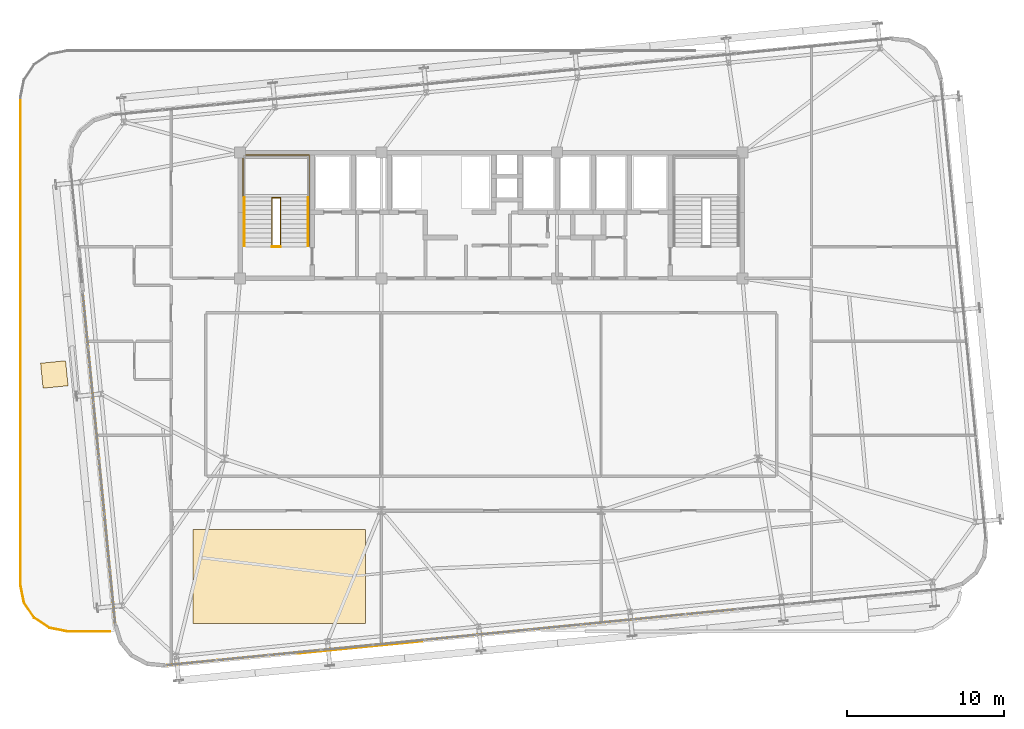
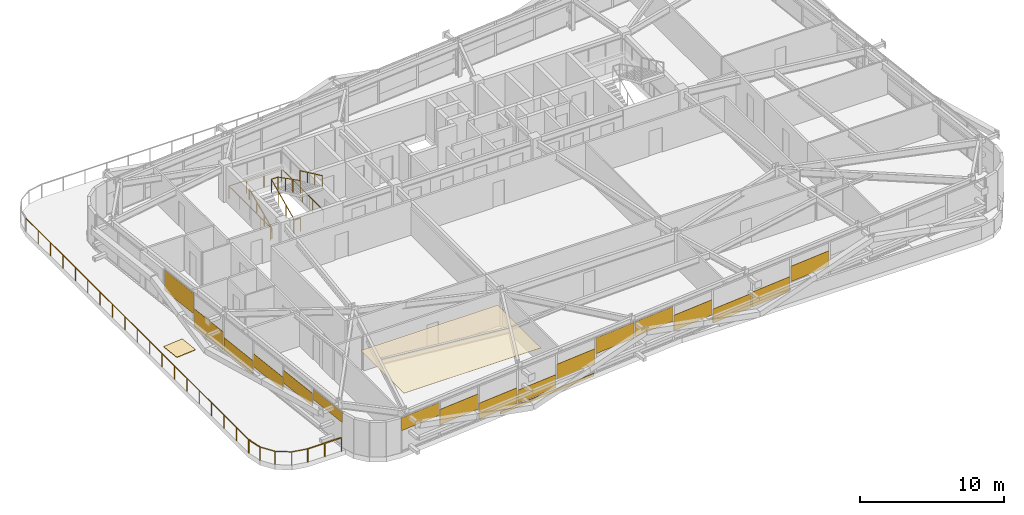
# One storey, part 49 of 51: 20 coverings, 11 railings.
"""IFC4 building model written with IfcOpenShell, lengths in metres."""

from ifc_helpers import new_model, si_unit, direction, frame, origin, origin_2d, place, context, subcontext, project, spatial, rectangle, extrude, source, transform, mapped, material, layer, layer_set, type_object, element, save


model = new_model("IFC4")

# Units and contexts
model_context = context("Model", 3, precision=1e-05, world=origin(), true_north=direction((0.0, 1.0)))
body_context = subcontext(model_context, "Body", "Model", "MODEL_VIEW")
ifc_project = project(units=[si_unit("LENGTHUNIT", "METRE"), si_unit("AREAUNIT", "SQUARE_METRE"), si_unit("VOLUMEUNIT", "CUBIC_METRE"), si_unit("PLANEANGLEUNIT", "RADIAN"), si_unit("MASSUNIT", "GRAM", prefix="KILO")], contexts=[model_context])

# Site, building, storey
site_placement = place(None, origin())
site = spatial("IfcSite", under=ifc_project, at=site_placement, CompositionType="ELEMENT")
building_placement = place(site_placement, origin())
building = spatial("IfcBuilding", under=site, at=building_placement, Name="Taldren Reach Tower", CompositionType="ELEMENT")
storey_placement = place(building_placement, frame((0.0, 0.0, 65.10009765625)))
storey = spatial("IfcBuildingStorey", under=building, at=storey_placement, Name="L19", CompositionType="ELEMENT", Elevation=65.10009765625)

# Railings
ifc_material_1 = material(Name="Steel Gr 350 (C350L0)", Category="steel")
ifc_layer_1 = layer(ifc_material_1, 0.050048828125)
ifc_layer_set_1 = layer_set([ifc_layer_1], Name="Steel Gr 350 (C350L0)")
railing_type_1 = type_object("IfcRailingType", Name="RL-STAIR-GR", PredefinedType="GUARDRAIL", material=ifc_layer_set_1)
railing_1_placement = place(storey_placement, frame((21.030029296875, 26.050048828125, 0.131103515625)))
element("IfcRailing", 1, at=railing_1_placement, inside=storey, type_object=railing_type_1, Name="Stairwell inner guard ST1-L19", PredefinedType="GUARDRAIL", context=body_context, shape_type="SweptSolid", body=[
    extrude(rectangle(XDim=0.047852, YDim=0.047852, at=origin_2d()), frame((0.0, 0.0, 1.09619140625), z_axis=(0.0, 0.905710134349, 0.423897573167), x_axis=(-1.0, 0.0, 0.0)), (0.0, 0.0, 1.0), 3.406005859375),
    extrude(rectangle(XDim=0.047852, YDim=0.047852, at=origin_2d()), frame((0.0, 3.0849609375, 2.5400390625), z_axis=(1.0, 0.0, 0.0), x_axis=(0.0, 1.0, 0.0)), (0.0, 0.0, 1.0), 0.5400390625),
    extrude(rectangle(XDim=0.047852, YDim=0.047852, at=origin_2d()), frame((0.5400390625, 3.0849609375, 2.5400390625), z_axis=(0.0, -0.890645957773, 0.45469745755), x_axis=(1.0, 0.0, 0.0)), (0.0, 0.0, 1.0), 3.463623046875),
    extrude(rectangle(XDim=0.041992, YDim=0.041992, at=origin_2d()), origin(), (0.0, 0.0, 1.0), 1.072021484375),
    extrude(rectangle(XDim=0.041992, YDim=0.041992, at=origin_2d()), frame((0.0, 1.0283203125, 0.481201171875)), (0.0, 0.0, 1.0), 1.072021484375),
    extrude(rectangle(XDim=0.041992, YDim=0.041992, at=origin_2d()), frame((0.0, 2.056640625, 0.962646484375)), (0.0, 0.0, 1.0), 1.072021484375),
    extrude(rectangle(XDim=0.041992, YDim=0.041992, at=origin_2d()), frame((0.0, 3.0849609375, 1.44384765625)), (0.0, 0.0, 1.0), 1.072021484375),
    extrude(rectangle(XDim=0.041992, YDim=0.041992, at=origin_2d()), frame((0.5400390625, 3.0849609375, 1.44384765625)), (0.0, 0.0, 1.0), 1.072021484375),
    extrude(rectangle(XDim=0.041992, YDim=0.041992, at=origin_2d()), frame((0.5400390625, 2.056640625, 1.96875)), (0.0, 0.0, 1.0), 1.072021484375),
    extrude(rectangle(XDim=0.041992, YDim=0.041992, at=origin_2d()), frame((0.5400390625, 1.0283203125, 2.493896484375)), (0.0, 0.0, 1.0), 1.072021484375),
    extrude(rectangle(XDim=0.041992, YDim=0.041992, at=origin_2d()), frame((0.5400390625, 0.0, 3.018798828125)), (0.0, 0.0, 1.0), 1.072021484375),
])
railing_2_placement = place(storey_placement, frame((21.030029296875, 26.010009765625, 0.0)))
element("IfcRailing", 2, at=railing_2_placement, inside=storey, type_object=railing_type_1, Name="Stairwell landing slot guard ST1-L19", PredefinedType="GUARDRAIL", context=body_context, shape_type="SweptSolid", body=[
    extrude(rectangle(XDim=0.047852, YDim=0.047852, at=origin_2d()), frame((0.0, 0.0, 1.09619140625), z_axis=(1.0, 0.0, 0.0), x_axis=(0.0, 1.0, 0.0)), (0.0, 0.0, 1.0), 0.5400390625),
    extrude(rectangle(XDim=0.041992, YDim=0.041992, at=origin_2d()), origin(), (0.0, 0.0, 1.0), 1.072021484375),
    extrude(rectangle(XDim=0.041992, YDim=0.041992, at=origin_2d()), frame((0.5400390625, 0.0, 0.0)), (0.0, 0.0, 1.0), 1.072021484375),
])
railing_3_placement = place(storey_placement, frame((19.18994140625, 26.050048828125, 0.0)))
element("IfcRailing", 3, at=railing_3_placement, inside=storey, type_object=railing_type_1, Name="Stairwell floor opening guard ST1-L19", PredefinedType="GUARDRAIL", context=body_context, shape_type="SweptSolid", body=[
    extrude(rectangle(XDim=0.047852, YDim=0.047852, at=origin_2d()), frame((0.0, 0.0, 1.09619140625), z_axis=(0.0, 1.0, 0.0), x_axis=(-1.0, 0.0, 0.0)), (0.0, 0.0, 1.0), 5.800048828125),
    extrude(rectangle(XDim=0.047852, YDim=0.047852, at=origin_2d()), frame((0.0, 5.800048828125, 1.09619140625), z_axis=(1.0, 0.0, 0.0), x_axis=(0.0, 1.0, 0.0)), (0.0, 0.0, 1.0), 4.219970703125),
    extrude(rectangle(XDim=0.047852, YDim=0.047852, at=origin_2d()), frame((4.219970703125, 5.800048828125, 1.09619140625), z_axis=(0.0, -1.0, 0.0), x_axis=(1.0, 0.0, 0.0)), (0.0, 0.0, 1.0), 5.800048828125),
    extrude(rectangle(XDim=0.041992, YDim=0.041992, at=origin_2d()), origin(), (0.0, 0.0, 1.0), 1.072021484375),
    extrude(rectangle(XDim=0.041992, YDim=0.041992, at=origin_2d()), frame((0.0, 1.449951171875, 0.0)), (0.0, 0.0, 1.0), 1.072021484375),
    extrude(rectangle(XDim=0.041992, YDim=0.041992, at=origin_2d()), frame((0.0, 2.89990234375, 0.0)), (0.0, 0.0, 1.0), 1.072021484375),
    extrude(rectangle(XDim=0.041992, YDim=0.041992, at=origin_2d()), frame((0.0, 4.35009765625, 0.0)), (0.0, 0.0, 1.0), 1.072021484375),
    extrude(rectangle(XDim=0.041992, YDim=0.041992, at=origin_2d()), frame((0.0, 5.800048828125, 0.0)), (0.0, 0.0, 1.0), 1.072021484375),
    extrude(rectangle(XDim=0.041992, YDim=0.041992, at=origin_2d()), frame((1.40673828125, 5.800048828125, 0.0)), (0.0, 0.0, 1.0), 1.072021484375),
    extrude(rectangle(XDim=0.041992, YDim=0.041992, at=origin_2d()), frame((2.813232421875, 5.800048828125, 0.0)), (0.0, 0.0, 1.0), 1.072021484375),
    extrude(rectangle(XDim=0.041992, YDim=0.041992, at=origin_2d()), frame((4.219970703125, 5.800048828125, 0.0)), (0.0, 0.0, 1.0), 1.072021484375),
    extrude(rectangle(XDim=0.041992, YDim=0.041992, at=origin_2d()), frame((4.219970703125, 4.35009765625, 0.0)), (0.0, 0.0, 1.0), 1.072021484375),
    extrude(rectangle(XDim=0.041992, YDim=0.041992, at=origin_2d()), frame((4.219970703125, 2.89990234375, 0.0)), (0.0, 0.0, 1.0), 1.072021484375),
    extrude(rectangle(XDim=0.041992, YDim=0.041992, at=origin_2d()), frame((4.219970703125, 1.449951171875, 0.0)), (0.0, 0.0, 1.0), 1.072021484375),
    extrude(rectangle(XDim=0.041992, YDim=0.041992, at=origin_2d()), frame((4.219970703125, 0.0, 0.0)), (0.0, 0.0, 1.0), 1.072021484375),
])
ifc_material_2 = material(Name="Stainless Steel Gr 316", Category="steel")
ifc_layer_2 = layer(ifc_material_2, 0.048095703125)
ifc_layer_set_2 = layer_set([ifc_layer_2], Name="Stainless Steel Gr 316")
railing_type_2 = type_object("IfcRailingType", Name="RL-STAIR-HR", PredefinedType="HANDRAIL", material=ifc_layer_set_2)
railing_4_placement = place(storey_placement, frame((19.27001953125, 26.050048828125, 0.131103515625)))
element("IfcRailing", 4, at=railing_4_placement, inside=storey, type_object=railing_type_2, Name="Stair flight handrail ST1-L19-1", PredefinedType="HANDRAIL", context=body_context, shape_type="SweptSolid", body=[
    extrude(rectangle(XDim=0.047852, YDim=0.047852, at=origin_2d()), frame((0.0, 0.0, 0.89599609375), z_axis=(0.0, 0.905710134349, 0.423897573167), x_axis=(-1.0, 0.0, 0.0)), (0.0, 0.0, 1.0), 3.406005859375),
    extrude(rectangle(XDim=0.041992, YDim=0.041992, at=origin_2d()), origin(), (0.0, 0.0, 1.0), 0.871826171875),
    extrude(rectangle(XDim=0.041992, YDim=0.041992, at=origin_2d()), frame((0.0, 1.0283203125, 0.481201171875)), (0.0, 0.0, 1.0), 0.871826171875),
    extrude(rectangle(XDim=0.041992, YDim=0.041992, at=origin_2d()), frame((0.0, 2.056640625, 0.962646484375)), (0.0, 0.0, 1.0), 0.871826171875),
    extrude(rectangle(XDim=0.041992, YDim=0.041992, at=origin_2d()), frame((0.0, 3.0849609375, 1.44384765625)), (0.0, 0.0, 1.0), 0.871826171875),
])
railing_5_placement = place(storey_placement, frame((23.330078125, 29.135009765625, 1.7060546875)))
element("IfcRailing", 5, at=railing_5_placement, inside=storey, type_object=railing_type_2, Name="Stair flight handrail ST1-L19-2", PredefinedType="HANDRAIL", context=body_context, shape_type="SweptSolid", body=[
    extrude(rectangle(XDim=0.047852, YDim=0.047852, at=origin_2d()), frame((0.0, 0.0, 0.89599609375), z_axis=(0.0, -0.905710134349, 0.423897573167), x_axis=(1.0, 0.0, 0.0)), (0.0, 0.0, 1.0), 3.406005859375),
    extrude(rectangle(XDim=0.041992, YDim=0.041992, at=origin_2d()), origin(), (0.0, 0.0, 1.0), 0.871826171875),
    extrude(rectangle(XDim=0.041992, YDim=0.041992, at=origin_2d()), frame((0.0, -1.0283203125, 0.481201171875)), (0.0, 0.0, 1.0), 0.871826171875),
    extrude(rectangle(XDim=0.041992, YDim=0.041992, at=origin_2d()), frame((0.0, -2.056640625, 0.962646484375)), (0.0, 0.0, 1.0), 0.871826171875),
    extrude(rectangle(XDim=0.041992, YDim=0.041992, at=origin_2d()), frame((0.0, -3.0849609375, 1.44384765625)), (0.0, 0.0, 1.0), 0.871826171875),
])
ifc_material_3 = material(Name="Laminated Glass and Pale-Anodised Aluminium Balustrade", Category="aluminium")
ifc_layer_3 = layer(ifc_material_3, 0.070068359375)
ifc_layer_set_3 = layer_set([ifc_layer_3], Name="Laminated Glass and Pale-Anodised Aluminium Balustrade")
railing_type_3 = type_object("IfcRailingType", Name="RL-TERR-1150", PredefinedType="GUARDRAIL", material=ifc_layer_set_3)
railing_6_placement = place(storey_placement, frame((6.85205078125, 1.728515625, 0.0)))
element("IfcRailing", 6, at=railing_6_placement, inside=storey, type_object=railing_type_3, Name="Outdoor terrace guardrail TERR-L19-1-01", PredefinedType="GUARDRAIL", context=body_context, shape_type="SweptSolid", body=[
    extrude(rectangle(XDim=0.047852, YDim=0.047852, at=origin_2d()), frame((0.0, 0.0, 1.1259765625), z_axis=(-0.83156866568, 0.555421960548, 0.0), x_axis=(-0.555421960548, -0.83156866568, 0.0)), (0.0, 0.0, 1.0), 1.170654296875),
    extrude(rectangle(XDim=0.041992, YDim=0.041992, at=origin_2d()), origin(), (0.0, 0.0, 1.0), 1.101806640625),
    extrude(rectangle(XDim=0.041992, YDim=0.041992, at=origin_2d()), frame((-0.973388671875, 0.650146484375, 0.0)), (0.0, 0.0, 1.0), 1.101806640625),
])
railing_7_placement = place(storey_placement, frame((5.878662109375, 2.378662109375, 0.0)))
element("IfcRailing", 7, at=railing_7_placement, inside=storey, type_object=railing_type_3, Name="Outdoor terrace guardrail TERR-L19-1-02", PredefinedType="GUARDRAIL", context=body_context, shape_type="SweptSolid", body=[
    extrude(rectangle(XDim=0.047852, YDim=0.047852, at=origin_2d()), frame((0.0, 0.0, 1.1259765625), z_axis=(-0.555518306078, 0.831504306431, 0.0), x_axis=(-0.831504306431, -0.555518306078, 0.0)), (0.0, 0.0, 1.0), 1.17041015625),
    extrude(rectangle(XDim=0.041992, YDim=0.041992, at=origin_2d()), origin(), (0.0, 0.0, 1.0), 1.101806640625),
    extrude(rectangle(XDim=0.041992, YDim=0.041992, at=origin_2d()), frame((-0.650146484375, 0.97314453125, 0.0)), (0.0, 0.0, 1.0), 1.101806640625),
])
railing_8_placement = place(storey_placement, frame((5.228515625, 3.351806640625, 0.0)))
element("IfcRailing", 8, at=railing_8_placement, inside=storey, type_object=railing_type_3, Name="Outdoor terrace guardrail TERR-L19-1-03", PredefinedType="GUARDRAIL", context=body_context, shape_type="SweptSolid", body=[
    extrude(rectangle(XDim=0.047852, YDim=0.047852, at=origin_2d()), frame((0.0, 0.0, 1.1259765625), z_axis=(-0.195193658877, 0.980764719764, 0.0), x_axis=(-0.980764719764, -0.195193658877, 0.0)), (0.0, 0.0, 1.0), 1.170654296875),
    extrude(rectangle(XDim=0.041992, YDim=0.041992, at=origin_2d()), origin(), (0.0, 0.0, 1.0), 1.101806640625),
    extrude(rectangle(XDim=0.041992, YDim=0.041992, at=origin_2d()), frame((-0.228515625, 1.148193359375, 0.0)), (0.0, 0.0, 1.0), 1.101806640625),
])
railing_9_placement = place(storey_placement, frame((5.0, 4.5, 0.0)))
element("IfcRailing", 9, at=railing_9_placement, inside=storey, type_object=railing_type_3, Name="Outdoor terrace guardrail TERR-L19-1-04", PredefinedType="GUARDRAIL", context=body_context, shape_type="SweptSolid", body=[
    extrude(rectangle(XDim=0.047852, YDim=0.047852, at=origin_2d()), frame((0.0, 0.0, 1.1259765625), z_axis=(0.0, 1.0, 0.0), x_axis=(-1.0, 0.0, 0.0)), (0.0, 0.0, 1.0), 31.0),
    extrude(rectangle(XDim=0.041992, YDim=0.041992, at=origin_2d()), origin(), (0.0, 0.0, 1.0), 1.101806640625),
    extrude(rectangle(XDim=0.041992, YDim=0.041992, at=origin_2d()), frame((0.0, 1.72216796875, 0.0)), (0.0, 0.0, 1.0), 1.101806640625),
    extrude(rectangle(XDim=0.041992, YDim=0.041992, at=origin_2d()), frame((0.0, 3.4443359375, 0.0)), (0.0, 0.0, 1.0), 1.101806640625),
    extrude(rectangle(XDim=0.041992, YDim=0.041992, at=origin_2d()), frame((0.0, 5.166748046875, 0.0)), (0.0, 0.0, 1.0), 1.101806640625),
    extrude(rectangle(XDim=0.041992, YDim=0.041992, at=origin_2d()), frame((0.0, 6.888916015625, 0.0)), (0.0, 0.0, 1.0), 1.101806640625),
    extrude(rectangle(XDim=0.041992, YDim=0.041992, at=origin_2d()), frame((0.0, 8.611083984375, 0.0)), (0.0, 0.0, 1.0), 1.101806640625),
    extrude(rectangle(XDim=0.041992, YDim=0.041992, at=origin_2d()), frame((0.0, 10.333251953125, 0.0)), (0.0, 0.0, 1.0), 1.101806640625),
    extrude(rectangle(XDim=0.041992, YDim=0.041992, at=origin_2d()), frame((0.0, 12.0556640625, 0.0)), (0.0, 0.0, 1.0), 1.101806640625),
    extrude(rectangle(XDim=0.041992, YDim=0.041992, at=origin_2d()), frame((0.0, 13.77783203125, 0.0)), (0.0, 0.0, 1.0), 1.101806640625),
    extrude(rectangle(XDim=0.041992, YDim=0.041992, at=origin_2d()), frame((0.0, 15.5, 0.0)), (0.0, 0.0, 1.0), 1.101806640625),
    extrude(rectangle(XDim=0.041992, YDim=0.041992, at=origin_2d()), frame((0.0, 17.22216796875, 0.0)), (0.0, 0.0, 1.0), 1.101806640625),
    extrude(rectangle(XDim=0.041992, YDim=0.041992, at=origin_2d()), frame((0.0, 18.9443359375, 0.0)), (0.0, 0.0, 1.0), 1.101806640625),
    extrude(rectangle(XDim=0.041992, YDim=0.041992, at=origin_2d()), frame((0.0, 20.666748046875, 0.0)), (0.0, 0.0, 1.0), 1.101806640625),
    extrude(rectangle(XDim=0.041992, YDim=0.041992, at=origin_2d()), frame((0.0, 22.388916015625, 0.0)), (0.0, 0.0, 1.0), 1.101806640625),
    extrude(rectangle(XDim=0.041992, YDim=0.041992, at=origin_2d()), frame((0.0, 24.111083984375, 0.0)), (0.0, 0.0, 1.0), 1.101806640625),
    extrude(rectangle(XDim=0.041992, YDim=0.041992, at=origin_2d()), frame((0.0, 25.833251953125, 0.0)), (0.0, 0.0, 1.0), 1.101806640625),
    extrude(rectangle(XDim=0.041992, YDim=0.041992, at=origin_2d()), frame((0.0, 27.5556640625, 0.0)), (0.0, 0.0, 1.0), 1.101806640625),
    extrude(rectangle(XDim=0.041992, YDim=0.041992, at=origin_2d()), frame((0.0, 29.27783203125, 0.0)), (0.0, 0.0, 1.0), 1.101806640625),
    extrude(rectangle(XDim=0.041992, YDim=0.041992, at=origin_2d()), frame((0.0, 31.0, 0.0)), (0.0, 0.0, 1.0), 1.101806640625),
])
railing_10_placement = place(storey_placement, frame((10.706298828125, 1.5, 0.0)))
element("IfcRailing", 10, at=railing_10_placement, inside=storey, type_object=railing_type_3, Name="Outdoor terrace guardrail TERR-L19-1-10", PredefinedType="GUARDRAIL", context=body_context, shape_type="SweptSolid", body=[
    extrude(rectangle(XDim=0.047852, YDim=0.047852, at=origin_2d()), frame((0.0, 0.0, 1.1259765625), z_axis=(-1.0, 0.0, 0.0), x_axis=(0.0, -1.0, 0.0)), (0.0, 0.0, 1.0), 2.706298828125),
    extrude(rectangle(XDim=0.041992, YDim=0.041992, at=origin_2d()), origin(), (0.0, 0.0, 1.0), 1.101806640625),
    extrude(rectangle(XDim=0.041992, YDim=0.041992, at=origin_2d()), frame((-1.35302734375, 0.0, 0.0)), (0.0, 0.0, 1.0), 1.101806640625),
    extrude(rectangle(XDim=0.041992, YDim=0.041992, at=origin_2d()), frame((-2.706298828125, 0.0, 0.0)), (0.0, 0.0, 1.0), 1.101806640625),
])
railing_11_placement = place(storey_placement, frame((8.0, 1.5, 0.0)))
element("IfcRailing", 11, at=railing_11_placement, inside=storey, type_object=railing_type_3, Name="Outdoor terrace guardrail TERR-L19-1-11", PredefinedType="GUARDRAIL", context=body_context, shape_type="SweptSolid", body=[
    extrude(rectangle(XDim=0.047852, YDim=0.047852, at=origin_2d()), frame((0.0, 0.0, 1.1259765625), z_axis=(-0.980756771825, 0.195233589627, 0.0), x_axis=(-0.195233589627, -0.980756771825, 0.0)), (0.0, 0.0, 1.0), 1.17041015625),
    extrude(rectangle(XDim=0.041992, YDim=0.041992, at=origin_2d()), origin(), (0.0, 0.0, 1.0), 1.101806640625),
    extrude(rectangle(XDim=0.041992, YDim=0.041992, at=origin_2d()), frame((-1.14794921875, 0.228515625, 0.0)), (0.0, 0.0, 1.0), 1.101806640625),
])

# Coverings
ifc_material_4 = material(Name="Pale Champagne Fluoropolymer Aluminium Spandrel Cladding", Category="aluminium")
ifc_layer_4 = layer(ifc_material_4, 0.06005859375)
ifc_layer_set_4 = layer_set([ifc_layer_4], Name="Pale Champagne Fluoropolymer Aluminium Spandrel Cladding")
covering_type_1 = type_object("IfcCoveringType", Name="CV-CLAD-060", PredefinedType="CLADDING", material=ifc_layer_set_4)
shared_shape_1 = source(origin(), body_context, "Body", "SweptSolid", [
    extrude(rectangle(XDim=8.0, YDim=0.06005859375, at=origin_2d()), origin(), (0.0, 0.0, 1.0), 0.219970703125),
])
covering_1_placement = place(storey_placement, frame((26.6337890625, 0.494384765625, -0.22021484375), z_axis=(0.0, 0.0, 1.0), x_axis=(0.995227399982, 0.097582899759, 0.0)))
element("IfcCovering", 12, at=covering_1_placement, inside=storey, type_object=covering_type_1, Name="Pale-metal architectural fascia band L19", PredefinedType="CLADDING", context=body_context, shape_type="MappedRepresentation", body=[
    mapped(shared_shape_1, transform((0.0, 0.0, 0.0), scale=1.0)),
])
ifc_material_5 = material(Name="SBS Modified Bitumen Waterproofing and Ballast Membrane")
ifc_layer_5 = layer(ifc_material_5, 0.080078125)
ifc_layer_set_5 = layer_set([ifc_layer_5], Name="SBS Modified Bitumen Waterproofing and Ballast Membrane")
covering_type_2 = type_object("IfcCoveringType", Name="CV-ROOF-080", PredefinedType="ROOFING", material=ifc_layer_set_5)
shared_shape_2 = source(origin(), body_context, "Body", "SweptSolid", [
    extrude(rectangle(XDim=1.60009765625, YDim=1.60009765625, at=origin_2d()), origin(), (0.0, 0.0, 1.0), 0.0400390625),
])
covering_2_placement = place(storey_placement, frame((7.162841796875, 17.872314453125, 0.0), z_axis=(0.0, 0.0, 1.0), x_axis=(0.995227399982, 0.097582899759, 0.0)))
element("IfcCovering", 13, at=covering_2_placement, inside=storey, type_object=covering_type_2, Name="Terrace waterproofing layer L19-1", PredefinedType="ROOFING", context=body_context, shape_type="MappedRepresentation", body=[
    mapped(shared_shape_2, transform((0.0, 0.0, 0.0), scale=1.0)),
])
ifc_material_6 = material(Name="Perforated Acoustic Mineral-Fibre Ceiling Tile")
ifc_layer_6 = layer(ifc_material_6, 0.02490234375)
ifc_layer_set_6 = layer_set([ifc_layer_6], Name="Perforated Acoustic Mineral-Fibre Ceiling Tile")
covering_type_3 = type_object("IfcCoveringType", Name="CV-CEIL-025", PredefinedType="CEILING", material=ifc_layer_set_6)
shared_shape_3 = source(origin(), body_context, "Body", "SweptSolid", [
    extrude(rectangle(XDim=11.0, YDim=6.0, at=origin_2d()), origin(), (0.0, 0.0, 1.0), 0.02490234375),
])
covering_3_placement = place(storey_placement, frame((21.5, 5.0, 2.70751953125), z_axis=(0.0, 0.0, 1.0), x_axis=(1.0, 0.0, 0.0)))
element("IfcCovering", 14, at=covering_3_placement, inside=storey, type_object=covering_type_3, Name="Suspended acoustic ceiling L19-08", PredefinedType="CEILING", context=body_context, shape_type="MappedRepresentation", body=[
    mapped(shared_shape_3, transform((0.0, 0.0, 0.0), scale=1.0)),
])
ifc_layer_7 = layer(ifc_material_4, 0.0439453125)
ifc_layer_set_7 = layer_set([ifc_layer_7], Name="Pale Champagne Fluoropolymer Aluminium Spandrel Cladding")
covering_type_4 = type_object("IfcCoveringType", Name="CV-CLAD-044", PredefinedType="CLADDING", material=ifc_layer_set_7)
shared_shape_4 = source(origin(), body_context, "Body", "SweptSolid", [
    extrude(rectangle(XDim=3.23583984375, YDim=0.0439453125, at=origin_2d()), origin(), (0.0, 0.0, 1.0), 1.094970703125),
])
covering_4_placement = place(storey_placement, frame((15.862548828125, -0.501220703125, 1.77978515625), z_axis=(0.0, 0.0, 1.0), x_axis=(0.995227390247, 0.097582999046, 0.0)))
element("IfcCovering", 15, at=covering_4_placement, inside=storey, type_object=covering_type_4, Name="Diagrid closure cladding strip CW-3 panel 1.1 1", PredefinedType="CLADDING", context=body_context, shape_type="MappedRepresentation", body=[
    mapped(shared_shape_4, transform((0.0, 0.0, 0.0), scale=1.0)),
])
shared_shape_5 = source(origin(), body_context, "Body", "SweptSolid", [
    extrude(rectangle(XDim=3.268310546875, YDim=0.0439453125, at=origin_2d()), origin(), (0.0, 0.0, 1.0), 1.3046875),
])
for number, where, z_axis, x_axis, name in (
    (16, (19.163818359375, -0.177734375, 0.943115234375), (0.0, 0.0, 1.0), (0.995227390247, 0.097582999046, 0.0), "Diagrid closure cladding strip CW-3 panel 2.1 1"),
    (17, (29.1162109375, 0.798095703125, 0.7021484375), (0.0, 0.0, 1.0), (0.995227390247, 0.097582999046, 0.0), "Diagrid closure cladding strip CW-3 panel 5.1 1"),
    (18, (39.068359375, 1.77392578125, 0.782470703125), (0.0, 0.0, 1.0), (0.995227390247, 0.097582999046, 0.0), "Diagrid closure cladding strip CW-3 panel 8.1 1"),
    (19, (49.020751953125, 2.749755859375, 0.86279296875), (0.0, 0.0, 1.0), (0.995227390247, 0.097582999046, 0.0), "Diagrid closure cladding strip CW-3 panel 11.1 1"),
):
    element("IfcCovering", number, at=place(storey_placement, frame(where, z_axis=z_axis, x_axis=x_axis)), inside=storey, type_object=covering_type_4, Name=name, PredefinedType="CLADDING", context=body_context, shape_type="MappedRepresentation", body=[
        mapped(shared_shape_5, transform((0.0, 0.0, 0.0), scale=1.0)),
    ])
shared_shape_6 = source(origin(), body_context, "Body", "SweptSolid", [
    extrude(rectangle(XDim=3.268310546875, YDim=0.0439453125, at=origin_2d()), origin(), (0.0, 0.0, 1.0), 1.356201171875),
])
covering_5_placement = place(storey_placement, frame((22.481201171875, 0.147705078125, 0.0546875), z_axis=(0.0, 0.0, 1.0), x_axis=(0.995227390247, 0.097582999046, 0.0)))
element("IfcCovering", 20, at=covering_5_placement, inside=storey, type_object=covering_type_4, Name="Diagrid closure cladding strip CW-3 panel 3.1 1", PredefinedType="CLADDING", context=body_context, shape_type="MappedRepresentation", body=[
    mapped(shared_shape_6, transform((0.0, 0.0, 0.0), scale=1.0)),
])
shared_shape_7 = source(origin(), body_context, "Body", "SweptSolid", [
    extrude(rectangle(XDim=3.268310546875, YDim=0.0439453125, at=origin_2d()), origin(), (0.0, 0.0, 1.0), 1.115234375),
])
covering_6_placement = place(storey_placement, frame((25.798828125, 0.472900390625, 0.054931640625), z_axis=(0.0, 0.0, 1.0), x_axis=(0.995227390247, 0.097582999046, 0.0)))
element("IfcCovering", 21, at=covering_6_placement, inside=storey, type_object=covering_type_4, Name="Diagrid closure cladding strip CW-3 panel 4.1 1", PredefinedType="CLADDING", context=body_context, shape_type="MappedRepresentation", body=[
    mapped(shared_shape_7, transform((0.0, 0.0, 0.0), scale=1.0)),
])
shared_shape_8 = source(origin(), body_context, "Body", "SweptSolid", [
    extrude(rectangle(XDim=3.268310546875, YDim=0.0439453125, at=origin_2d()), origin(), (0.0, 0.0, 1.0), 1.3359375),
])
covering_7_placement = place(storey_placement, frame((32.43359375, 1.12353515625, 1.5390625), z_axis=(0.0, 0.0, 1.0), x_axis=(0.995227390247, 0.097582999046, 0.0)))
element("IfcCovering", 22, at=covering_7_placement, inside=storey, type_object=covering_type_4, Name="Diagrid closure cladding strip CW-3 panel 6.1 1", PredefinedType="CLADDING", context=body_context, shape_type="MappedRepresentation", body=[
    mapped(shared_shape_8, transform((0.0, 0.0, 0.0), scale=1.0)),
])
shared_shape_9 = source(origin(), body_context, "Body", "SweptSolid", [
    extrude(rectangle(XDim=3.268310546875, YDim=0.0439453125, at=origin_2d()), origin(), (0.0, 0.0, 1.0), 1.255615234375),
])
covering_8_placement = place(storey_placement, frame((35.7509765625, 1.44873046875, 1.619140625), z_axis=(0.0, 0.0, 1.0), x_axis=(0.995227390247, 0.097582999046, 0.0)))
element("IfcCovering", 23, at=covering_8_placement, inside=storey, type_object=covering_type_4, Name="Diagrid closure cladding strip CW-3 panel 7.1 1", PredefinedType="CLADDING", context=body_context, shape_type="MappedRepresentation", body=[
    mapped(shared_shape_9, transform((0.0, 0.0, 0.0), scale=1.0)),
])
shared_shape_10 = source(origin(), body_context, "Body", "SweptSolid", [
    extrude(rectangle(XDim=3.268310546875, YDim=0.0439453125, at=origin_2d()), origin(), (0.0, 0.0, 1.0), 1.195556640625),
])
covering_9_placement = place(storey_placement, frame((42.3857421875, 2.099365234375, 0.0546875), z_axis=(0.0, 0.0, 1.0), x_axis=(0.995227390247, 0.097582999046, 0.0)))
element("IfcCovering", 24, at=covering_9_placement, inside=storey, type_object=covering_type_4, Name="Diagrid closure cladding strip CW-3 panel 9.1 1", PredefinedType="CLADDING", context=body_context, shape_type="MappedRepresentation", body=[
    mapped(shared_shape_10, transform((0.0, 0.0, 0.0), scale=1.0)),
])
shared_shape_11 = source(origin(), body_context, "Body", "SweptSolid", [
    extrude(rectangle(XDim=3.268310546875, YDim=0.0439453125, at=origin_2d()), origin(), (0.0, 0.0, 1.0), 1.27587890625),
])
covering_10_placement = place(storey_placement, frame((45.703369140625, 2.424560546875, 0.054931640625), z_axis=(0.0, 0.0, 1.0), x_axis=(0.995227390247, 0.097582999046, 0.0)))
element("IfcCovering", 25, at=covering_10_placement, inside=storey, type_object=covering_type_4, Name="Diagrid closure cladding strip CW-3 panel 10.1 1", PredefinedType="CLADDING", context=body_context, shape_type="MappedRepresentation", body=[
    mapped(shared_shape_11, transform((0.0, 0.0, 0.0), scale=1.0)),
])
shared_shape_12 = source(origin(), body_context, "Body", "SweptSolid", [
    extrude(rectangle(XDim=3.46337890625, YDim=0.0439453125, at=origin_2d()), origin(), (0.0, 0.0, 1.0), 1.74560546875),
])
covering_11_placement = place(storey_placement, frame((9.15283203125, 21.376708984375, 1.12939453125), z_axis=(0.0, 0.0, 1.0), x_axis=(0.097582977646, -0.995227392345, 0.0)))
element("IfcCovering", 26, at=covering_11_placement, inside=storey, type_object=covering_type_4, Name="Diagrid closure cladding strip CW-3 panel 1.1 1", PredefinedType="CLADDING", context=body_context, shape_type="MappedRepresentation", body=[
    mapped(shared_shape_12, transform((0.0, 0.0, 0.0), scale=1.0)),
])
shared_shape_13 = source(origin(), body_context, "Body", "SweptSolid", [
    extrude(rectangle(XDim=3.495849609375, YDim=0.0439453125, at=origin_2d()), origin(), (0.0, 0.0, 1.0), 1.551513671875),
])
covering_12_placement = place(storey_placement, frame((9.498779296875, 17.84912109375, 0.0546875), z_axis=(0.0, 0.0, 1.0), x_axis=(0.097582977646, -0.995227392345, 0.0)))
element("IfcCovering", 27, at=covering_12_placement, inside=storey, type_object=covering_type_4, Name="Diagrid closure cladding strip CW-3 panel 2.1 1", PredefinedType="CLADDING", context=body_context, shape_type="MappedRepresentation", body=[
    mapped(shared_shape_13, transform((0.0, 0.0, 0.0), scale=1.0)),
])
shared_shape_14 = source(origin(), body_context, "Body", "SweptSolid", [
    extrude(rectangle(XDim=3.495849609375, YDim=0.0439453125, at=origin_2d()), origin(), (0.0, 0.0, 1.0), 1.127197265625),
])
covering_13_placement = place(storey_placement, frame((9.84619140625, 14.30517578125, 0.05517578125), z_axis=(0.0, 0.0, 1.0), x_axis=(0.097582977646, -0.995227392345, 0.0)))
element("IfcCovering", 28, at=covering_13_placement, inside=storey, type_object=covering_type_4, Name="Diagrid closure cladding strip CW-3 panel 3.1 1", PredefinedType="CLADDING", context=body_context, shape_type="MappedRepresentation", body=[
    mapped(shared_shape_14, transform((0.0, 0.0, 0.0), scale=1.0)),
])
shared_shape_15 = source(origin(), body_context, "Body", "SweptSolid", [
    extrude(rectangle(XDim=3.495849609375, YDim=0.0439453125, at=origin_2d()), origin(), (0.0, 0.0, 1.0), 1.104248046875),
])
for number, where, z_axis, x_axis, name in (
    (29, (10.193603515625, 10.76123046875, 0.71630859375), (0.0, 0.0, 1.0), (0.097582977646, -0.995227392345, 0.0), "Diagrid closure cladding strip CW-3 panel 4.1 1"),
    (30, (10.541015625, 7.217529296875, 1.35498046875), (0.0, 0.0, 1.0), (0.097582977646, -0.995227392345, 0.0), "Diagrid closure cladding strip CW-3 panel 5.1 1"),
):
    element("IfcCovering", number, at=place(storey_placement, frame(where, z_axis=z_axis, x_axis=x_axis)), inside=storey, type_object=covering_type_4, Name=name, PredefinedType="CLADDING", context=body_context, shape_type="MappedRepresentation", body=[
        mapped(shared_shape_15, transform((0.0, 0.0, 0.0), scale=1.0)),
    ])
shared_shape_16 = source(origin(), body_context, "Body", "SweptSolid", [
    extrude(rectangle(XDim=3.46337890625, YDim=0.0439453125, at=origin_2d()), origin(), (0.0, 0.0, 1.0), 0.881103515625),
])
covering_14_placement = place(storey_placement, frame((10.886962890625, 3.68994140625, 1.99365234375), z_axis=(0.0, 0.0, 1.0), x_axis=(0.097582977646, -0.995227392345, 0.0)))
element("IfcCovering", 31, at=covering_14_placement, inside=storey, type_object=covering_type_4, Name="Diagrid closure cladding strip CW-3 panel 6.1 1", PredefinedType="CLADDING", context=body_context, shape_type="MappedRepresentation", body=[
    mapped(shared_shape_16, transform((0.0, 0.0, 0.0), scale=1.0)),
])

save(model, "model.ifc")
